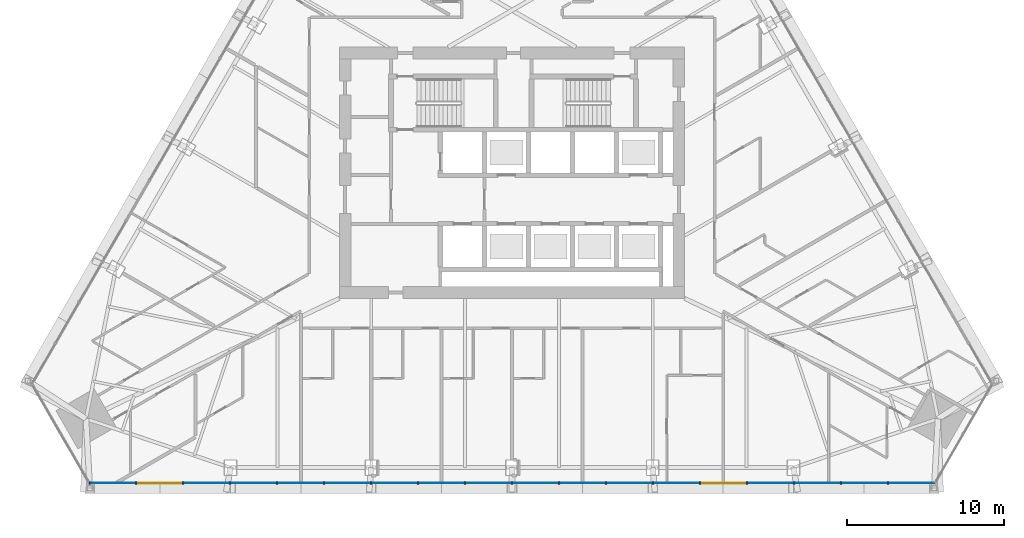
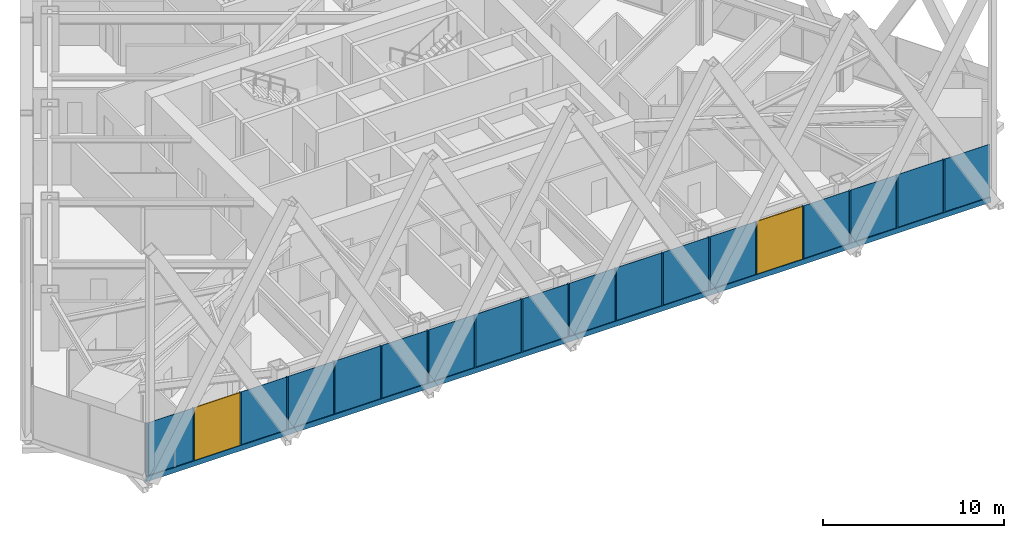
# One storey, part 3 of 24: 19 members, 16 plates, 2 windows, 2 openings, 1 element without a shape of its own.
"""IFC4 building model written with IfcOpenShell, lengths in metres."""

from ifc_helpers import new_model, si_unit, direction, frame, frame_2d, origin, origin_2d, place, context, subcontext, project, spatial, polyline, rectangle, outline, extrude, material, layer, layer_set, material_profile, profile_set, type_object, element, fill, aggregate, save


model = new_model("IFC4")

# Units and contexts
model_context = context("Model", 3, precision=1e-05, world=origin(), true_north=direction((0.0, 1.0)))
body_context = subcontext(model_context, "Body", "Model", "MODEL_VIEW")
ifc_project = project(units=[si_unit("LENGTHUNIT", "METRE"), si_unit("AREAUNIT", "SQUARE_METRE"), si_unit("VOLUMEUNIT", "CUBIC_METRE"), si_unit("PLANEANGLEUNIT", "RADIAN"), si_unit("MASSUNIT", "GRAM", prefix="KILO")], contexts=[model_context])

# Site, building, storey
site_placement = place(None, origin())
site = spatial("IfcSite", under=ifc_project, at=site_placement, CompositionType="ELEMENT")
building_placement = place(site_placement, origin())
building = spatial("IfcBuilding", under=site, at=building_placement, Name="Firuza Gate Tower and Library", CompositionType="ELEMENT")
storey_placement = place(building_placement, frame((0.0, 0.0, 171.39990234375)))
storey = spatial("IfcBuildingStorey", under=building, at=storey_placement, Name="L39", CompositionType="ELEMENT", Elevation=171.39990234375)

# Curtain wall, openings, members, plates, windows
ifc_material_1 = material(Name="Aluminium 6063-T6", Category="aluminium")
ifc_layer_1 = layer(ifc_material_1, 0.14990234375)
ifc_layer_set_1 = layer_set([ifc_layer_1], Name="Unitised curtain wall, hotel")
curtain_wall_type = type_object("IfcCurtainWallType", Name="Unitised curtain wall, hotel", PredefinedType="NOTDEFINED", material=ifc_layer_set_1)
curtain_wall_placement = place(storey_placement, origin())
curtain_wall = element("IfcCurtainWall", 1, at=curtain_wall_placement, inside=storey, type_object=curtain_wall_type, Name="CW2 L39 S face", PredefinedType="NOTDEFINED")
opening_1_placement = place(curtain_wall_placement, frame((51.10302734375, 55.24560546875, 0.150146484375), z_axis=(0.0, 0.0, 1.0), x_axis=(1.0, 0.0, 0.0)))
opening_1 = element("IfcOpeningElement", 2, at=opening_1_placement, cuts=curtain_wall, Name="Opening WD1-003", PredefinedType="OPENING", context=body_context, shape_type="SweptSolid", body=[
    extrude(rectangle(XDim=2.912109375, YDim=3.550048828125, at=frame_2d((1.4560546875, 1.77490234375))), frame((0.0, 0.0849609375, 0.0), z_axis=(0.0, -1.0, 0.0), x_axis=(1.0, 0.0, 0.0)), (0.0, 0.0, 1.0), 0.169921875),
])
opening_2_placement = place(curtain_wall_placement, frame((87.008544921875, 55.24560546875, 0.150146484375), z_axis=(0.0, 0.0, 1.0), x_axis=(1.0, 0.0, 0.0)))
opening_2 = element("IfcOpeningElement", 3, at=opening_2_placement, cuts=curtain_wall, Name="Opening WD1-004", PredefinedType="OPENING", context=body_context, shape_type="SweptSolid", body=[
    extrude(rectangle(XDim=2.912109375, YDim=3.550048828125, at=frame_2d((1.4560546875, 1.77490234375))), frame((0.0, 0.0849609375, 0.0), z_axis=(0.0, -1.0, 0.0), x_axis=(1.0, 0.0, 0.0)), (0.0, 0.0, 1.0), 0.169921875),
])
ifc_material_2 = material(Name="Aluminium 6063-T6", Category="aluminium")
ifc_material_profile_1 = material_profile(ifc_material_2, rectangle(XDim=0.14990234375, YDim=0.080078125, at=origin_2d()))
ifc_profile_set_1 = profile_set([ifc_material_profile_1], Name="Aluminium 6063-T6")
member_type_1 = type_object("IfcMemberType", Name="Curtain wall mullion 80x150", PredefinedType="MULLION", material=ifc_profile_set_1)
member_1_placement = place(storey_placement, frame((48.11083984375, 55.24560546875, 0.150146484375), z_axis=(0.0, 0.0, 1.0), x_axis=(0.0, 1.0, 0.0)))
member_1 = element("IfcMember", 4, at=member_1_placement, type_object=member_type_1, Name="Mullion", PredefinedType="MULLION", context=body_context, shape_type="SweptSolid", body=[
    extrude(rectangle(XDim=0.14990234375, YDim=0.080078125, at=origin_2d()), origin(), (0.0, 0.0, 1.0), 3.550048828125),
])
member_2_placement = place(storey_placement, frame((51.06298828125, 55.24560546875, 0.150146484375), z_axis=(0.0, 0.0, 1.0), x_axis=(0.0, 1.0, 0.0)))
member_2 = element("IfcMember", 5, at=member_2_placement, type_object=member_type_1, Name="Mullion", PredefinedType="MULLION", context=body_context, shape_type="SweptSolid", body=[
    extrude(rectangle(XDim=0.14990234375, YDim=0.080078125, at=origin_2d()), origin(), (0.0, 0.0, 1.0), 3.550048828125),
])
member_3_placement = place(storey_placement, frame((54.05517578125, 55.24560546875, 0.150146484375), z_axis=(0.0, 0.0, 1.0), x_axis=(0.0, 1.0, 0.0)))
member_3 = element("IfcMember", 6, at=member_3_placement, type_object=member_type_1, Name="Mullion", PredefinedType="MULLION", context=body_context, shape_type="SweptSolid", body=[
    extrude(rectangle(XDim=0.14990234375, YDim=0.080078125, at=origin_2d()), origin(), (0.0, 0.0, 1.0), 3.550048828125),
])
member_4_placement = place(storey_placement, frame((57.04736328125, 55.24560546875, 0.150146484375), z_axis=(0.0, 0.0, 1.0), x_axis=(0.0, 1.0, 0.0)))
member_4 = element("IfcMember", 7, at=member_4_placement, type_object=member_type_1, Name="Mullion", PredefinedType="MULLION", context=body_context, shape_type="SweptSolid", body=[
    extrude(rectangle(XDim=0.14990234375, YDim=0.080078125, at=origin_2d()), origin(), (0.0, 0.0, 1.0), 3.550048828125),
])
member_5_placement = place(storey_placement, frame((60.039306640625, 55.24560546875, 0.150146484375), z_axis=(0.0, 0.0, 1.0), x_axis=(0.0, 1.0, 0.0)))
member_5 = element("IfcMember", 8, at=member_5_placement, type_object=member_type_1, Name="Mullion", PredefinedType="MULLION", context=body_context, shape_type="SweptSolid", body=[
    extrude(rectangle(XDim=0.14990234375, YDim=0.080078125, at=origin_2d()), origin(), (0.0, 0.0, 1.0), 3.550048828125),
])
member_6_placement = place(storey_placement, frame((63.031494140625, 55.24560546875, 0.150146484375), z_axis=(0.0, 0.0, 1.0), x_axis=(0.0, 1.0, 0.0)))
member_6 = element("IfcMember", 9, at=member_6_placement, type_object=member_type_1, Name="Mullion", PredefinedType="MULLION", context=body_context, shape_type="SweptSolid", body=[
    extrude(rectangle(XDim=0.14990234375, YDim=0.080078125, at=origin_2d()), origin(), (0.0, 0.0, 1.0), 3.550048828125),
])
member_7_placement = place(storey_placement, frame((66.023681640625, 55.24560546875, 0.150146484375), z_axis=(0.0, 0.0, 1.0), x_axis=(0.0, 1.0, 0.0)))
member_7 = element("IfcMember", 10, at=member_7_placement, type_object=member_type_1, Name="Mullion", PredefinedType="MULLION", context=body_context, shape_type="SweptSolid", body=[
    extrude(rectangle(XDim=0.14990234375, YDim=0.080078125, at=origin_2d()), origin(), (0.0, 0.0, 1.0), 3.550048828125),
])
member_8_placement = place(storey_placement, frame((69.015869140625, 55.24560546875, 0.150146484375), z_axis=(0.0, 0.0, 1.0), x_axis=(0.0, 1.0, 0.0)))
member_8 = element("IfcMember", 11, at=member_8_placement, type_object=member_type_1, Name="Mullion", PredefinedType="MULLION", context=body_context, shape_type="SweptSolid", body=[
    extrude(rectangle(XDim=0.14990234375, YDim=0.080078125, at=origin_2d()), origin(), (0.0, 0.0, 1.0), 3.550048828125),
])
member_9_placement = place(storey_placement, frame((72.0078125, 55.24560546875, 0.150146484375), z_axis=(0.0, 0.0, 1.0), x_axis=(0.0, 1.0, 0.0)))
member_9 = element("IfcMember", 12, at=member_9_placement, type_object=member_type_1, Name="Mullion", PredefinedType="MULLION", context=body_context, shape_type="SweptSolid", body=[
    extrude(rectangle(XDim=0.14990234375, YDim=0.080078125, at=origin_2d()), origin(), (0.0, 0.0, 1.0), 3.550048828125),
])
member_10_placement = place(storey_placement, frame((75.0, 55.24560546875, 0.150146484375), z_axis=(0.0, 0.0, 1.0), x_axis=(0.0, 1.0, 0.0)))
member_10 = element("IfcMember", 13, at=member_10_placement, type_object=member_type_1, Name="Mullion", PredefinedType="MULLION", context=body_context, shape_type="SweptSolid", body=[
    extrude(rectangle(XDim=0.14990234375, YDim=0.080078125, at=origin_2d()), origin(), (0.0, 0.0, 1.0), 3.550048828125),
])
member_11_placement = place(storey_placement, frame((77.9921875, 55.24560546875, 0.150146484375), z_axis=(0.0, 0.0, 1.0), x_axis=(0.0, 1.0, 0.0)))
member_11 = element("IfcMember", 14, at=member_11_placement, type_object=member_type_1, Name="Mullion", PredefinedType="MULLION", context=body_context, shape_type="SweptSolid", body=[
    extrude(rectangle(XDim=0.14990234375, YDim=0.080078125, at=origin_2d()), origin(), (0.0, 0.0, 1.0), 3.550048828125),
])
member_12_placement = place(storey_placement, frame((80.984130859375, 55.24560546875, 0.150146484375), z_axis=(0.0, 0.0, 1.0), x_axis=(0.0, 1.0, 0.0)))
member_12 = element("IfcMember", 15, at=member_12_placement, type_object=member_type_1, Name="Mullion", PredefinedType="MULLION", context=body_context, shape_type="SweptSolid", body=[
    extrude(rectangle(XDim=0.14990234375, YDim=0.080078125, at=origin_2d()), origin(), (0.0, 0.0, 1.0), 3.550048828125),
])
member_13_placement = place(storey_placement, frame((83.976318359375, 55.24560546875, 0.150146484375), z_axis=(0.0, 0.0, 1.0), x_axis=(0.0, 1.0, 0.0)))
member_13 = element("IfcMember", 16, at=member_13_placement, type_object=member_type_1, Name="Mullion", PredefinedType="MULLION", context=body_context, shape_type="SweptSolid", body=[
    extrude(rectangle(XDim=0.14990234375, YDim=0.080078125, at=origin_2d()), origin(), (0.0, 0.0, 1.0), 3.550048828125),
])
member_14_placement = place(storey_placement, frame((86.968505859375, 55.24560546875, 0.150146484375), z_axis=(0.0, 0.0, 1.0), x_axis=(0.0, 1.0, 0.0)))
member_14 = element("IfcMember", 17, at=member_14_placement, type_object=member_type_1, Name="Mullion", PredefinedType="MULLION", context=body_context, shape_type="SweptSolid", body=[
    extrude(rectangle(XDim=0.14990234375, YDim=0.080078125, at=origin_2d()), origin(), (0.0, 0.0, 1.0), 3.550048828125),
])
member_15_placement = place(storey_placement, frame((89.960693359375, 55.24560546875, 0.150146484375), z_axis=(0.0, 0.0, 1.0), x_axis=(0.0, 1.0, 0.0)))
member_15 = element("IfcMember", 18, at=member_15_placement, type_object=member_type_1, Name="Mullion", PredefinedType="MULLION", context=body_context, shape_type="SweptSolid", body=[
    extrude(rectangle(XDim=0.14990234375, YDim=0.080078125, at=origin_2d()), origin(), (0.0, 0.0, 1.0), 3.550048828125),
])
member_16_placement = place(storey_placement, frame((92.95263671875, 55.24560546875, 0.150146484375), z_axis=(0.0, 0.0, 1.0), x_axis=(0.0, 1.0, 0.0)))
member_16 = element("IfcMember", 19, at=member_16_placement, type_object=member_type_1, Name="Mullion", PredefinedType="MULLION", context=body_context, shape_type="SweptSolid", body=[
    extrude(rectangle(XDim=0.14990234375, YDim=0.080078125, at=origin_2d()), origin(), (0.0, 0.0, 1.0), 3.550048828125),
])
member_17_placement = place(storey_placement, frame((95.94482421875, 55.24560546875, 0.150146484375), z_axis=(0.0, 0.0, 1.0), x_axis=(0.0, 1.0, 0.0)))
member_17 = element("IfcMember", 20, at=member_17_placement, type_object=member_type_1, Name="Mullion", PredefinedType="MULLION", context=body_context, shape_type="SweptSolid", body=[
    extrude(rectangle(XDim=0.14990234375, YDim=0.080078125, at=origin_2d()), origin(), (0.0, 0.0, 1.0), 3.550048828125),
])
member_18_placement = place(storey_placement, frame((98.93701171875, 55.24560546875, 0.150146484375), z_axis=(0.0, 0.0, 1.0), x_axis=(0.0, 1.0, 0.0)))
member_18 = element("IfcMember", 21, at=member_18_placement, type_object=member_type_1, Name="Mullion", PredefinedType="MULLION", context=body_context, shape_type="SweptSolid", body=[
    extrude(rectangle(XDim=0.14990234375, YDim=0.080078125, at=origin_2d()), origin(), (0.0, 0.0, 1.0), 3.550048828125),
])
ifc_material_3 = material(Name="Aluminium 6063-T6", Category="aluminium")
ifc_material_profile_2 = material_profile(ifc_material_3, rectangle(XDim=0.14990234375, YDim=0.35009765625, at=origin_2d()))
ifc_profile_set_2 = profile_set([ifc_material_profile_2], Name="Aluminium 6063-T6")
member_type_2 = type_object("IfcMemberType", Name="Curtain wall transom 350x150", PredefinedType="USERDEFINED", material=ifc_profile_set_2)
member_19_placement = place(storey_placement, frame((48.07080078125, 55.24560546875, -0.02490234375), z_axis=(1.0, 0.0, 0.0), x_axis=(0.0, 1.0, 0.0)))
member_19 = element("IfcMember", 22, at=member_19_placement, type_object=member_type_2, Name="Transom", ObjectType="TRANSOM", PredefinedType="USERDEFINED", context=body_context, shape_type="SweptSolid", body=[
    extrude(rectangle(XDim=0.14990234375, YDim=0.35009765625, at=origin_2d()), origin(), (0.0, 0.0, 1.0), 53.8583984375),
])
ifc_material_4 = material(Name="Fritted glass", Category="glass")
ifc_layer_2 = layer(ifc_material_4, 0.030029296875)
ifc_layer_set_2 = layer_set([ifc_layer_2], Name="Fritted glass unit, hotel")
plate_type_1 = type_object("IfcPlateType", Name="Fritted glass unit, hotel", PredefinedType="CURTAIN_PANEL", material=ifc_layer_set_2)
plate_1_placement = place(storey_placement, frame((60.079345703125, 55.23046875, 0.150146484375), z_axis=(0.0, -1.0, 0.0), x_axis=(1.0, 0.0, 0.0)))
plate_1 = element("IfcPlate", 23, at=plate_1_placement, type_object=plate_type_1, Name="Glass unit", PredefinedType="CURTAIN_PANEL", context=body_context, shape_type="SweptSolid", body=[
    extrude(outline(polyline([(0.0, 0.0), (2.912109375, 0.0), (2.912109375, 3.550048828125), (0.0, 3.550048828125), (0.0, 0.0)])), origin(), (0.0, 0.0, -1.0), 0.030029296875),
])
plate_2_placement = place(storey_placement, frame((69.0556640625, 55.23046875, 0.150146484375), z_axis=(0.0, -1.0, 0.0), x_axis=(1.0, 0.0, 0.0)))
plate_2 = element("IfcPlate", 24, at=plate_2_placement, type_object=plate_type_1, Name="Glass unit", PredefinedType="CURTAIN_PANEL", context=body_context, shape_type="SweptSolid", body=[
    extrude(outline(polyline([(0.0, 0.0), (2.912109375, 0.0), (2.912109375, 3.550048828125), (0.0, 3.550048828125), (0.0, 0.0)])), origin(), (0.0, 0.0, -1.0), 0.030029296875),
])
plate_3_placement = place(storey_placement, frame((78.0322265625, 55.23046875, 0.150146484375), z_axis=(0.0, -1.0, 0.0), x_axis=(1.0, 0.0, 0.0)))
plate_3 = element("IfcPlate", 25, at=plate_3_placement, type_object=plate_type_1, Name="Glass unit", PredefinedType="CURTAIN_PANEL", context=body_context, shape_type="SweptSolid", body=[
    extrude(outline(polyline([(0.0, 0.0), (2.912109375, 0.0), (2.912109375, 3.550048828125), (0.0, 3.550048828125), (0.0, 0.0)])), origin(), (0.0, 0.0, -1.0), 0.030029296875),
])
plate_4_placement = place(storey_placement, frame((95.98486328125, 55.23046875, 0.150146484375), z_axis=(0.0, -1.0, 0.0), x_axis=(1.0, 0.0, 0.0)))
plate_4 = element("IfcPlate", 26, at=plate_4_placement, type_object=plate_type_1, Name="Glass unit", PredefinedType="CURTAIN_PANEL", context=body_context, shape_type="SweptSolid", body=[
    extrude(outline(polyline([(0.0, 0.0), (2.912109375, 0.0), (2.912109375, 3.550048828125), (0.0, 3.550048828125), (0.0, 0.0)])), origin(), (0.0, 0.0, -1.0), 0.030029296875),
])
ifc_material_5 = material(Name="Glazed ceramic tile")
ifc_layer_3 = layer(ifc_material_5, 0.030029296875)
ifc_layer_set_3 = layer_set([ifc_layer_3], Name="Opaque ceramic panel, hotel")
plate_type_2 = type_object("IfcPlateType", Name="Opaque ceramic panel, hotel", PredefinedType="CURTAIN_PANEL", material=ifc_layer_set_3)
plate_5_placement = place(storey_placement, frame((48.11083984375, 55.23046875, 0.150146484375), z_axis=(0.0, -1.0, 0.0), x_axis=(1.0, 0.0, 0.0)))
plate_5 = element("IfcPlate", 27, at=plate_5_placement, type_object=plate_type_2, Name="Opaque ceramic panel", PredefinedType="CURTAIN_PANEL", context=body_context, shape_type="SweptSolid", body=[
    extrude(outline(polyline([(0.0, 0.0), (2.912109375, 0.0), (2.912109375, 3.550048828125), (0.0, 3.550048828125), (0.0, 0.0)])), origin(), (0.0, 0.0, -1.0), 0.030029296875),
])
plate_6_placement = place(storey_placement, frame((54.09521484375, 55.23046875, 0.150146484375), z_axis=(0.0, -1.0, 0.0), x_axis=(1.0, 0.0, 0.0)))
plate_6 = element("IfcPlate", 28, at=plate_6_placement, type_object=plate_type_2, Name="Opaque ceramic panel", PredefinedType="CURTAIN_PANEL", context=body_context, shape_type="SweptSolid", body=[
    extrude(outline(polyline([(0.0, 0.0), (2.912109375, 0.0), (2.912109375, 3.550048828125), (0.0, 3.550048828125), (0.0, 0.0)])), origin(), (0.0, 0.0, -1.0), 0.030029296875),
])
plate_7_placement = place(storey_placement, frame((57.087158203125, 55.23046875, 0.150146484375), z_axis=(0.0, -1.0, 0.0), x_axis=(1.0, 0.0, 0.0)))
plate_7 = element("IfcPlate", 29, at=plate_7_placement, type_object=plate_type_2, Name="Opaque ceramic panel", PredefinedType="CURTAIN_PANEL", context=body_context, shape_type="SweptSolid", body=[
    extrude(outline(polyline([(0.0, 0.0), (2.912353515625, 0.0), (2.912353515625, 3.550048828125), (0.0, 3.550048828125), (0.0, 0.0)])), origin(), (0.0, 0.0, -1.0), 0.030029296875),
])
plate_8_placement = place(storey_placement, frame((63.071533203125, 55.23046875, 0.150146484375), z_axis=(0.0, -1.0, 0.0), x_axis=(1.0, 0.0, 0.0)))
plate_8 = element("IfcPlate", 30, at=plate_8_placement, type_object=plate_type_2, Name="Opaque ceramic panel", PredefinedType="CURTAIN_PANEL", context=body_context, shape_type="SweptSolid", body=[
    extrude(outline(polyline([(0.0, 0.0), (2.912109375, 0.0), (2.912109375, 3.550048828125), (0.0, 3.550048828125), (0.0, 0.0)])), origin(), (0.0, 0.0, -1.0), 0.030029296875),
])
plate_9_placement = place(storey_placement, frame((66.063720703125, 55.23046875, 0.150146484375), z_axis=(0.0, -1.0, 0.0), x_axis=(1.0, 0.0, 0.0)))
plate_9 = element("IfcPlate", 31, at=plate_9_placement, type_object=plate_type_2, Name="Opaque ceramic panel", PredefinedType="CURTAIN_PANEL", context=body_context, shape_type="SweptSolid", body=[
    extrude(outline(polyline([(0.0, 0.0), (2.912109375, 0.0), (2.912109375, 3.550048828125), (0.0, 3.550048828125), (0.0, 0.0)])), origin(), (0.0, 0.0, -1.0), 0.030029296875),
])
plate_10_placement = place(storey_placement, frame((72.0478515625, 55.23046875, 0.150146484375), z_axis=(0.0, -1.0, 0.0), x_axis=(1.0, 0.0, 0.0)))
plate_10 = element("IfcPlate", 32, at=plate_10_placement, type_object=plate_type_2, Name="Opaque ceramic panel", PredefinedType="CURTAIN_PANEL", context=body_context, shape_type="SweptSolid", body=[
    extrude(outline(polyline([(0.0, 0.0), (2.912109375, 0.0), (2.912109375, 3.550048828125), (0.0, 3.550048828125), (0.0, 0.0)])), origin(), (0.0, 0.0, -1.0), 0.030029296875),
])
plate_11_placement = place(storey_placement, frame((75.0400390625, 55.23046875, 0.150146484375), z_axis=(0.0, -1.0, 0.0), x_axis=(1.0, 0.0, 0.0)))
plate_11 = element("IfcPlate", 33, at=plate_11_placement, type_object=plate_type_2, Name="Opaque ceramic panel", PredefinedType="CURTAIN_PANEL", context=body_context, shape_type="SweptSolid", body=[
    extrude(outline(polyline([(0.0, 0.0), (2.912109375, 0.0), (2.912109375, 3.550048828125), (0.0, 3.550048828125), (0.0, 0.0)])), origin(), (0.0, 0.0, -1.0), 0.030029296875),
])
plate_12_placement = place(storey_placement, frame((81.024169921875, 55.23046875, 0.150146484375), z_axis=(0.0, -1.0, 0.0), x_axis=(1.0, 0.0, 0.0)))
plate_12 = element("IfcPlate", 34, at=plate_12_placement, type_object=plate_type_2, Name="Opaque ceramic panel", PredefinedType="CURTAIN_PANEL", context=body_context, shape_type="SweptSolid", body=[
    extrude(outline(polyline([(0.0, 0.0), (2.912109375, 0.0), (2.912109375, 3.550048828125), (0.0, 3.550048828125), (0.0, 0.0)])), origin(), (0.0, 0.0, -1.0), 0.030029296875),
])
plate_13_placement = place(storey_placement, frame((84.016357421875, 55.23046875, 0.150146484375), z_axis=(0.0, -1.0, 0.0), x_axis=(1.0, 0.0, 0.0)))
plate_13 = element("IfcPlate", 35, at=plate_13_placement, type_object=plate_type_2, Name="Opaque ceramic panel", PredefinedType="CURTAIN_PANEL", context=body_context, shape_type="SweptSolid", body=[
    extrude(outline(polyline([(0.0, 0.0), (2.912109375, 0.0), (2.912109375, 3.550048828125), (0.0, 3.550048828125), (0.0, 0.0)])), origin(), (0.0, 0.0, -1.0), 0.030029296875),
])
plate_14_placement = place(storey_placement, frame((90.00048828125, 55.23046875, 0.150146484375), z_axis=(0.0, -1.0, 0.0), x_axis=(1.0, 0.0, 0.0)))
plate_14 = element("IfcPlate", 36, at=plate_14_placement, type_object=plate_type_2, Name="Opaque ceramic panel", PredefinedType="CURTAIN_PANEL", context=body_context, shape_type="SweptSolid", body=[
    extrude(outline(polyline([(0.0, 0.0), (2.912353515625, 0.0), (2.912353515625, 3.550048828125), (0.0, 3.550048828125), (0.0, 0.0)])), origin(), (0.0, 0.0, -1.0), 0.030029296875),
])
plate_15_placement = place(storey_placement, frame((92.99267578125, 55.23046875, 0.150146484375), z_axis=(0.0, -1.0, 0.0), x_axis=(1.0, 0.0, 0.0)))
plate_15 = element("IfcPlate", 37, at=plate_15_placement, type_object=plate_type_2, Name="Opaque ceramic panel", PredefinedType="CURTAIN_PANEL", context=body_context, shape_type="SweptSolid", body=[
    extrude(outline(polyline([(0.0, 0.0), (2.912109375, 0.0), (2.912109375, 3.550048828125), (0.0, 3.550048828125), (0.0, 0.0)])), origin(), (0.0, 0.0, -1.0), 0.030029296875),
])
plate_16_placement = place(storey_placement, frame((98.97705078125, 55.23046875, 0.150146484375), z_axis=(0.0, -1.0, 0.0), x_axis=(1.0, 0.0, 0.0)))
plate_16 = element("IfcPlate", 38, at=plate_16_placement, type_object=plate_type_2, Name="Opaque ceramic panel", PredefinedType="CURTAIN_PANEL", context=body_context, shape_type="SweptSolid", body=[
    extrude(outline(polyline([(0.0, 0.0), (2.912109375, 0.0), (2.912109375, 3.550048828125), (0.0, 3.550048828125), (0.0, 0.0)])), origin(), (0.0, 0.0, -1.0), 0.030029296875),
])
aggregate(curtain_wall, [member_1, member_2, member_3, member_4, member_5, member_6, member_7, member_8, member_9, member_10, member_11, member_12, member_13, member_14, member_15, member_16, member_17, member_18, member_19, plate_5, plate_6, plate_7, plate_1, plate_8, plate_9, plate_2, plate_10, plate_11, plate_3, plate_12, plate_13, plate_14, plate_15, plate_4, plate_16])
ifc_material_6 = material(Name="Aluminium 6063-T6 and glass", Category="aluminium")
ifc_layer_4 = layer(ifc_material_6, 0.030029296875)
ifc_layer_set_4 = layer_set([ifc_layer_4], Name="Operable glazed unit")
window_type = type_object("IfcWindowType", Name="Operable glazed unit", PartitioningType="SINGLE_PANEL", PredefinedType="WINDOW", material=ifc_layer_set_4)
window_1_placement = place(opening_1_placement, origin())
window_1 = element("IfcWindow", 39, at=window_1_placement, inside=storey, type_object=window_type, Name="Operable glazed unit", OverallHeight=3.550048828125, OverallWidth=2.912109375, PartitioningType="SINGLE_PANEL", PredefinedType="WINDOW", context=body_context, shape_type="SweptSolid", body=[
    extrude(rectangle(XDim=2.912109375, YDim=3.550048828125, at=frame_2d((1.4560546875, 1.77490234375))), frame((0.0, 0.030029296875, 0.0), z_axis=(0.0, -1.0, 0.0), x_axis=(1.0, 0.0, 0.0)), (0.0, 0.0, 1.0), 0.06005859375),
])
fill(opening_1, window_1)
window_2_placement = place(opening_2_placement, origin())
window_2 = element("IfcWindow", 40, at=window_2_placement, inside=storey, type_object=window_type, Name="Operable glazed unit", OverallHeight=3.550048828125, OverallWidth=2.912109375, PartitioningType="SINGLE_PANEL", PredefinedType="WINDOW", context=body_context, shape_type="SweptSolid", body=[
    extrude(rectangle(XDim=2.912109375, YDim=3.550048828125, at=frame_2d((1.4560546875, 1.77490234375))), frame((0.0, 0.030029296875, 0.0), z_axis=(0.0, -1.0, 0.0), x_axis=(1.0, 0.0, 0.0)), (0.0, 0.0, 1.0), 0.06005859375),
])
fill(opening_2, window_2)

save(model, "model.ifc")
